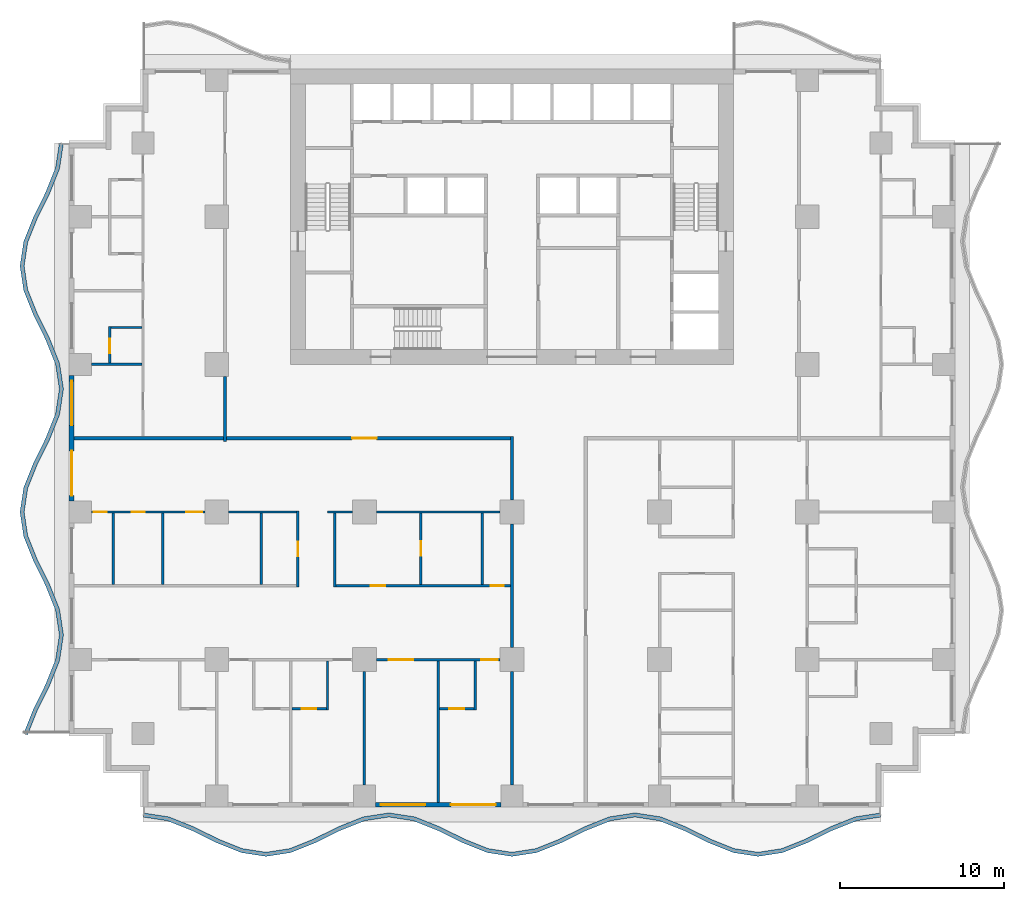
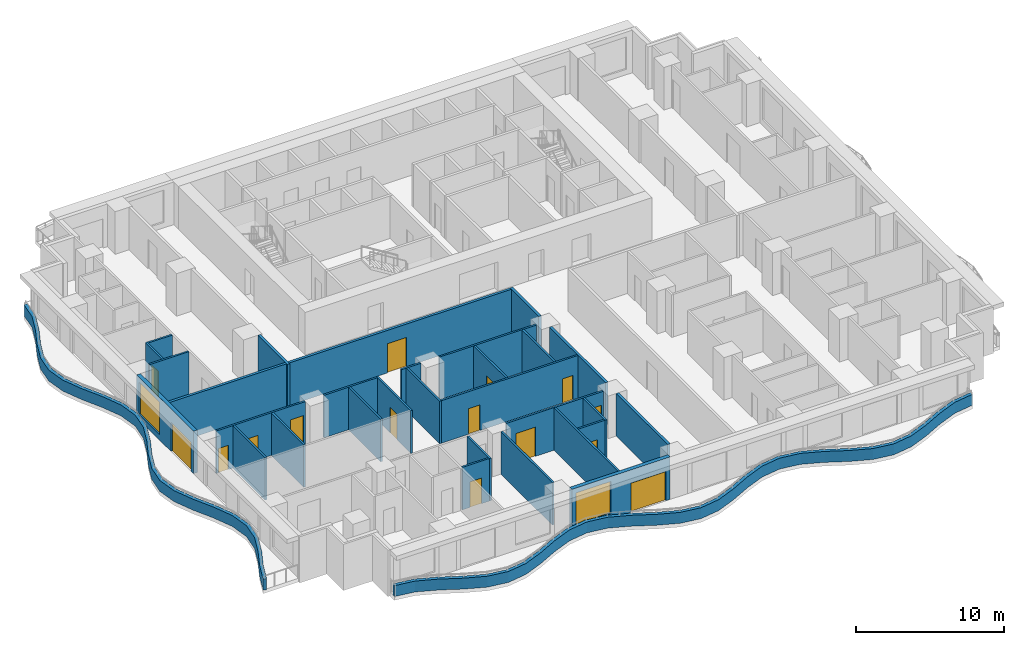
# One storey, part 2 of 13: 32 walls, 15 doors, 2 windows, 17 openings.
"""IFC4 building model written with IfcOpenShell, lengths in metres."""

from ifc_helpers import new_model, si_unit, direction, frame, frame_2d, origin, place, context, subcontext, project, spatial, polyline, rectangle, outline, extrude, material, layer, layer_set, type_object, element, fill, save


model = new_model("IFC4")

# Units and contexts
model_context = context("Model", 3, precision=1e-05, world=origin(), true_north=direction((0.0, 1.0)))
body_context = subcontext(model_context, "Body", "Model", "MODEL_VIEW")
ifc_project = project(units=[si_unit("LENGTHUNIT", "METRE"), si_unit("AREAUNIT", "SQUARE_METRE"), si_unit("VOLUMEUNIT", "CUBIC_METRE"), si_unit("PLANEANGLEUNIT", "RADIAN"), si_unit("MASSUNIT", "GRAM", prefix="KILO")], contexts=[model_context])

# Site, building, storey
site_placement = place(None, origin())
site = spatial("IfcSite", under=ifc_project, at=site_placement, CompositionType="ELEMENT")
building_placement = place(site_placement, origin())
building = spatial("IfcBuilding", under=site, at=building_placement, Name="Orbiselva Terraces", CompositionType="ELEMENT")
storey_placement = place(building_placement, frame((0.0, 0.0, 69.4)))
storey = spatial("IfcBuildingStorey", under=building, at=storey_placement, Name="L17", CompositionType="ELEMENT", Elevation=69.4)

# Walls
ifc_material_1 = material(Name="Concrete C40/50", Category="concrete")
ifc_layer_1 = layer(ifc_material_1, 0.25)
ifc_layer_set_1 = layer_set([ifc_layer_1], Name="Concrete C40/50")
wall_type_1 = type_object("IfcWallType", Name="ENV-PLANTER-250x900", PredefinedType="USERDEFINED", material=ifc_layer_set_1)
wall_1_placement = place(storey_placement, origin())
element("IfcWall", 1, at=wall_1_placement, inside=storey, type_object=wall_type_1, Name="Balcony planter L17 S", ObjectType="PLANTER", PredefinedType="USERDEFINED", context=body_context, shape_type="SweptSolid", body=[
    extrude(outline(polyline([(-22.5, -23.1), (-21.0, -23.32918), (-19.5, -23.92918), (-18.0, -24.67082), (-16.5, -25.27082), (-15.0, -25.5), (-13.5, -25.27082), (-12.0, -24.67082), (-10.5, -23.92918), (-9.0, -23.32918), (-7.5, -23.1), (-6.0, -23.32918), (-4.5, -23.92918), (-3.0, -24.67082), (-1.5, -25.27082), (0.0, -25.5), (1.5, -25.27082), (3.0, -24.67082), (4.5, -23.92918), (6.0, -23.32918), (7.5, -23.1), (9.0, -23.32918), (10.5, -23.92918), (12.0, -24.67082), (13.5, -25.27082), (15.0, -25.5), (16.5, -25.27082), (18.0, -24.67082), (19.5, -23.92918), (21.0, -23.32918), (22.5, -23.1), (22.462242, -22.852868), (20.933834, -23.086388), (19.398017, -23.700715), (17.898017, -24.442355), (16.433834, -25.028028), (15.0, -25.247099), (13.566166, -25.028028), (12.101983, -24.442355), (10.601983, -23.700715), (9.066166, -23.086388), (7.5, -22.847099), (5.933834, -23.086388), (4.398017, -23.700715), (2.898017, -24.442355), (1.433834, -25.028028), (0.0, -25.247099), (-1.433834, -25.028028), (-2.898017, -24.442355), (-4.398017, -23.700715), (-5.933834, -23.086388), (-7.5, -22.847099), (-9.066166, -23.086388), (-10.601983, -23.700715), (-12.101983, -24.442355), (-13.566166, -25.028028), (-15.0, -25.247099), (-16.433834, -25.028028), (-17.898017, -24.442355), (-19.398017, -23.700715), (-20.933834, -23.086388), (-22.462242, -22.852868), (-22.5, -23.1)])), origin(), (0.0, 0.0, 1.0), 0.9),
])
wall_2_placement = place(storey_placement, origin())
element("IfcWall", 2, at=wall_2_placement, inside=storey, type_object=wall_type_1, Name="Balcony planter L17 W", ObjectType="PLANTER", PredefinedType="USERDEFINED", context=body_context, shape_type="SweptSolid", body=[
    extrude(outline(polyline([(-27.6, 18.0), (-27.82918, 16.5), (-28.42918, 15.0), (-29.17082, 13.5), (-29.77082, 12.0), (-30.0, 10.5), (-29.77082, 9.0), (-29.17082, 7.5), (-28.42918, 6.0), (-27.82918, 4.5), (-27.6, 3.0), (-27.82918, 1.5), (-28.42918, 0.0), (-29.17082, -1.5), (-29.77082, -3.0), (-30.0, -4.5), (-29.77082, -6.0), (-29.17082, -7.5), (-28.42918, -9.0), (-27.82918, -10.5), (-27.6, -12.0), (-27.82918, -13.5), (-28.42918, -15.0), (-29.17082, -16.5), (-29.77082, -18.0), (-29.538701, -18.092848), (-28.942355, -16.601983), (-28.200715, -15.101983), (-27.586388, -13.566166), (-27.347099, -12.0), (-27.586388, -10.433834), (-28.200715, -8.898017), (-28.942355, -7.398017), (-29.528028, -5.933834), (-29.747099, -4.5), (-29.528028, -3.066166), (-28.942355, -1.601983), (-28.200715, -0.101983), (-27.586388, 1.433834), (-27.347099, 3.0), (-27.586388, 4.566166), (-28.200715, 6.101983), (-28.942355, 7.601983), (-29.528028, 9.066166), (-29.747099, 10.5), (-29.528028, 11.933834), (-28.942355, 13.398017), (-28.200715, 14.898017), (-27.586388, 16.433834), (-27.352868, 17.962242), (-27.6, 18.0)])), origin(), (0.0, 0.0, 1.0), 0.9),
])

# Wall, openings, door, window
ifc_material_2 = material(Name="Terracotta cladding on masonry backing", Category="masonry")
ifc_layer_2 = layer(ifc_material_2, 0.3)
ifc_layer_set_2 = layer_set([ifc_layer_2], Name="Terracotta cladding on masonry backing")
wall_type_2 = type_object("IfcWallType", Name="ENV-WALL-TERRACOTTA-300", PredefinedType="SOLIDWALL", material=ifc_layer_set_2)
wall_3_placement = place(storey_placement, frame((-0.675, -22.35, 0.0), z_axis=(0.0, 0.0, 1.0), x_axis=(-1.0, 0.0, 0.0)))
wall_3 = element("IfcWall", 3, at=wall_3_placement, inside=storey, type_object=wall_type_2, Name="Facade wall L17 S", PredefinedType="SOLIDWALL", context=body_context, shape_type="SweptSolid", body=[
    extrude(rectangle(XDim=7.65, YDim=0.3, at=frame_2d((3.825, 0.0))), origin(), (0.0, 0.0, 1.0), 3.5),
])
opening_1_placement = place(wall_3_placement, frame((4.6, 0.0, 0.45)))
opening_1 = element("IfcOpeningElement", 4, at=opening_1_placement, cuts=wall_3, Name="Opening WN5", PredefinedType="OPENING", context=body_context, shape_type="SweptSolid", body=[
    extrude(rectangle(XDim=2.725, YDim=2.65, at=frame_2d((1.3625, 1.325))), frame((0.0, 0.16, 0.0), z_axis=(0.0, -1.0, 0.0), x_axis=(1.0, 0.0, 0.0)), (0.0, 0.0, 1.0), 0.32),
])
opening_2_placement = place(wall_3_placement, frame((0.325, 0.0, 0.0)))
opening_2 = element("IfcOpeningElement", 5, at=opening_2_placement, cuts=wall_3, Name="Opening Z2-A-E02", PredefinedType="OPENING", context=body_context, shape_type="SweptSolid", body=[
    extrude(rectangle(XDim=2.725, YDim=2.4, at=frame_2d((1.3625, 1.2))), frame((0.0, 0.16, 0.0), z_axis=(0.0, -1.0, 0.0), x_axis=(1.0, 0.0, 0.0)), (0.0, 0.0, 1.0), 0.32),
])
ifc_material_3 = material(Name="Clear low-e glazing in aluminium frame", Category="aluminium")
door_type_1 = type_object("IfcDoorType", Name="BALCONY DOOR 2725 X 2400", OperationType="DOUBLE_DOOR_SLIDING", PredefinedType="DOOR", material=ifc_material_3)
door_1_placement = place(opening_2_placement, origin())
door_1 = element("IfcDoor", 6, at=door_1_placement, inside=storey, type_object=door_type_1, Name="Z2-A-E02", OperationType="SINGLE_SWING_LEFT", OverallHeight=2.4, OverallWidth=2.725, PredefinedType="DOOR", context=body_context, shape_type="SweptSolid", body=[
    extrude(rectangle(XDim=2.725, YDim=2.4, at=frame_2d((1.3625, 1.2))), frame((0.0, 0.025, 0.0), z_axis=(0.0, -1.0, 0.0), x_axis=(1.0, 0.0, 0.0)), (0.0, 0.0, 1.0), 0.05),
])
fill(opening_2, door_1)
window_type = type_object("IfcWindowType", Name="WINDOW 2725 X 2650 S450", PartitioningType="TRIPLE_PANEL_VERTICAL", PredefinedType="WINDOW", material=ifc_material_3)
window_1_placement = place(opening_1_placement, origin())
window_1 = element("IfcWindow", 7, at=window_1_placement, inside=storey, type_object=window_type, Name="Window L17 S", OverallHeight=2.65, OverallWidth=2.725, PartitioningType="SINGLE_PANEL", PredefinedType="WINDOW", context=body_context, shape_type="SweptSolid", body=[
    extrude(rectangle(XDim=2.725, YDim=2.65, at=frame_2d((1.3625, 1.325))), frame((0.0, 0.03, 0.0), z_axis=(0.0, -1.0, 0.0), x_axis=(1.0, 0.0, 0.0)), (0.0, 0.0, 1.0), 0.06),
])
fill(opening_1, window_1)

wall_4_placement = place(storey_placement, frame((-26.85, -3.825, 0.0), z_axis=(0.0, 0.0, 1.0), x_axis=(0.0, 1.0, 0.0)))
wall_4 = element("IfcWall", 8, at=wall_4_placement, inside=storey, type_object=wall_type_2, Name="Facade wall L17 W", PredefinedType="SOLIDWALL", context=body_context, shape_type="SweptSolid", body=[
    extrude(rectangle(XDim=7.65, YDim=0.3, at=frame_2d((3.825, 0.0))), origin(), (0.0, 0.0, 1.0), 3.5),
])
opening_3_placement = place(wall_4_placement, frame((4.6, 0.0, 0.45)))
opening_3 = element("IfcOpeningElement", 9, at=opening_3_placement, cuts=wall_4, Name="Opening WN5", PredefinedType="OPENING", context=body_context, shape_type="SweptSolid", body=[
    extrude(rectangle(XDim=2.725, YDim=2.65, at=frame_2d((1.3625, 1.325))), frame((0.0, 0.16, 0.0), z_axis=(0.0, -1.0, 0.0), x_axis=(1.0, 0.0, 0.0)), (0.0, 0.0, 1.0), 0.32),
])
opening_4_placement = place(wall_4_placement, frame((0.325, 0.0, 0.0)))
opening_4 = element("IfcOpeningElement", 10, at=opening_4_placement, cuts=wall_4, Name="Opening Z2-A-E11", PredefinedType="OPENING", context=body_context, shape_type="SweptSolid", body=[
    extrude(rectangle(XDim=2.725, YDim=2.4, at=frame_2d((1.3625, 1.2))), frame((0.0, 0.16, 0.0), z_axis=(0.0, -1.0, 0.0), x_axis=(1.0, 0.0, 0.0)), (0.0, 0.0, 1.0), 0.32),
])
door_2_placement = place(opening_4_placement, origin())
door_2 = element("IfcDoor", 11, at=door_2_placement, inside=storey, type_object=door_type_1, Name="Z2-A-E11", OperationType="SINGLE_SWING_LEFT", OverallHeight=2.4, OverallWidth=2.725, PredefinedType="DOOR", context=body_context, shape_type="SweptSolid", body=[
    extrude(rectangle(XDim=2.725, YDim=2.4, at=frame_2d((1.3625, 1.2))), frame((0.0, 0.025, 0.0), z_axis=(0.0, -1.0, 0.0), x_axis=(1.0, 0.0, 0.0)), (0.0, 0.0, 1.0), 0.05),
])
fill(opening_4, door_2)
window_2_placement = place(opening_3_placement, origin())
window_2 = element("IfcWindow", 12, at=window_2_placement, inside=storey, type_object=window_type, Name="Window L17 W", OverallHeight=2.65, OverallWidth=2.725, PartitioningType="SINGLE_PANEL", PredefinedType="WINDOW", context=body_context, shape_type="SweptSolid", body=[
    extrude(rectangle(XDim=2.725, YDim=2.65, at=frame_2d((1.3625, 1.325))), frame((0.0, 0.03, 0.0), z_axis=(0.0, -1.0, 0.0), x_axis=(1.0, 0.0, 0.0)), (0.0, 0.0, 1.0), 0.06),
])
fill(opening_3, window_2)

# Wall, opening, door
ifc_material_4 = material(Name="Plasterboard on steel stud partition", Category="steel")
ifc_layer_3 = layer(ifc_material_4, 0.2)
ifc_layer_set_3 = layer_set([ifc_layer_3], Name="Plasterboard on steel stud partition")
wall_type_3 = type_object("IfcWallType", Name="UNIT-ENTRANCE-WALL-200", PredefinedType="PARTITIONING", material=ifc_layer_set_3)
wall_5_placement = place(storey_placement, frame((-0.1, 0.0, 0.0), z_axis=(0.0, 0.0, 1.0), x_axis=(-1.0, 0.0, 0.0)))
wall_5 = element("IfcWall", 13, at=wall_5_placement, inside=storey, type_object=wall_type_3, Name="PARTITION L17-028", PredefinedType="PARTITIONING", context=body_context, shape_type="SweptSolid", body=[
    extrude(rectangle(XDim=17.3, YDim=0.2, at=frame_2d((8.65, 0.0))), origin(), (0.0, 0.0, 1.0), 3.5),
])
opening_5_placement = place(wall_5_placement, frame((8.15, 0.0, 0.0)))
opening_5 = element("IfcOpeningElement", 14, at=opening_5_placement, cuts=wall_5, Name="Opening Z2-A-15", PredefinedType="OPENING", context=body_context, shape_type="SweptSolid", body=[
    extrude(rectangle(XDim=1.5, YDim=2.4, at=frame_2d((0.75, 1.2))), frame((0.0, 0.11, 0.0), z_axis=(0.0, -1.0, 0.0), x_axis=(1.0, 0.0, 0.0)), (0.0, 0.0, 1.0), 0.22),
])
ifc_material_5 = material(Name="Painted timber door leaf", Category="wood")
door_type_2 = type_object("IfcDoorType", Name="ENTRANCE DOUBLE DOOR 1500", OperationType="NOTDEFINED", PredefinedType="DOOR", material=ifc_material_5)
door_3_placement = place(opening_5_placement, origin())
door_3 = element("IfcDoor", 15, at=door_3_placement, inside=storey, type_object=door_type_2, Name="Z2-A-15", OperationType="DOUBLE_DOOR_SINGLE_SWING", OverallHeight=2.4, OverallWidth=1.5, PredefinedType="DOOR", context=body_context, shape_type="SweptSolid", body=[
    extrude(rectangle(XDim=1.5, YDim=2.4, at=frame_2d((0.75, 1.2))), frame((0.0, 0.025, 0.0), z_axis=(0.0, -1.0, 0.0), x_axis=(1.0, 0.0, 0.0)), (0.0, 0.0, 1.0), 0.05),
])
fill(opening_5, door_3)

# Walls
wall_6_placement = place(storey_placement, frame((-17.5, -0.2, 0.0), z_axis=(0.0, 0.0, 1.0), x_axis=(0.0, 1.0, 0.0)))
element("IfcWall", 16, at=wall_6_placement, inside=storey, type_object=wall_type_3, Name="PARTITION L17-051", PredefinedType="PARTITIONING", context=body_context, shape_type="SweptSolid", body=[
    extrude(rectangle(XDim=3.975, YDim=0.2, at=frame_2d((1.9875, 0.0))), origin(), (0.0, 0.0, 1.0), 3.5),
])
wall_7_placement = place(storey_placement, frame((0.0, -21.15, 0.0), z_axis=(0.0, 0.0, 1.0), x_axis=(0.0, 1.0, 0.0)))
element("IfcWall", 17, at=wall_7_placement, inside=storey, type_object=wall_type_3, Name="PARTITION L17-065", PredefinedType="PARTITIONING", context=body_context, shape_type="SweptSolid", body=[
    extrude(rectangle(XDim=6.925, YDim=0.2, at=frame_2d((3.4625, 0.0))), origin(), (0.0, 0.0, 1.0), 3.5),
])
wall_8_placement = place(storey_placement, frame((0.0, -12.775, 0.0), z_axis=(0.0, 0.0, 1.0), x_axis=(0.0, 1.0, 0.0)))
element("IfcWall", 18, at=wall_8_placement, inside=storey, type_object=wall_type_3, Name="PARTITION L17-066", PredefinedType="PARTITIONING", context=body_context, shape_type="SweptSolid", body=[
    extrude(rectangle(XDim=7.55, YDim=0.2, at=frame_2d((3.775, 0.0))), origin(), (0.0, 0.0, 1.0), 3.5),
])
wall_9_placement = place(storey_placement, frame((0.0, -3.775, 0.0), z_axis=(0.0, 0.0, 1.0), x_axis=(0.0, 1.0, 0.0)))
element("IfcWall", 19, at=wall_9_placement, inside=storey, type_object=wall_type_3, Name="PARTITION L17-067", PredefinedType="PARTITIONING", context=body_context, shape_type="SweptSolid", body=[
    extrude(rectangle(XDim=3.875, YDim=0.2, at=frame_2d((1.9375, 0.0))), origin(), (0.0, 0.0, 1.0), 3.5),
])

# Wall, opening, door
ifc_layer_4 = layer(ifc_material_4, 0.15)
ifc_layer_set_4 = layer_set([ifc_layer_4], Name="Plasterboard on steel stud partition")
wall_type_4 = type_object("IfcWallType", Name="UNIT-PARTITION-150", PredefinedType="PARTITIONING", material=ifc_layer_set_4)
wall_10_placement = place(storey_placement, frame((-13.425, -16.5, 0.0), z_axis=(0.0, 0.0, 1.0), x_axis=(1.0, 0.0, 0.0)))
wall_10 = element("IfcWall", 20, at=wall_10_placement, inside=storey, type_object=wall_type_4, Name="PARTITION L17-005", PredefinedType="PARTITIONING", context=body_context, shape_type="SweptSolid", body=[
    extrude(rectangle(XDim=2.1, YDim=0.15, at=frame_2d((1.05, 0.0))), origin(), (0.0, 0.0, 1.0), 3.5),
])
opening_6_placement = place(wall_10_placement, frame((0.6, 0.0, 0.0)))
opening_6 = element("IfcOpeningElement", 21, at=opening_6_placement, cuts=wall_10, Name="Opening Z2-A-28", PredefinedType="OPENING", context=body_context, shape_type="SweptSolid", body=[
    extrude(rectangle(XDim=0.9, YDim=2.1, at=frame_2d((0.45, 1.05))), frame((0.0, 0.085, 0.0), z_axis=(0.0, -1.0, 0.0), x_axis=(1.0, 0.0, 0.0)), (0.0, 0.0, 1.0), 0.17),
])
door_type_3 = type_object("IfcDoorType", Name="BATH DOOR 900", OperationType="NOTDEFINED", PredefinedType="DOOR", material=ifc_material_5)
door_4_placement = place(opening_6_placement, origin())
door_4 = element("IfcDoor", 22, at=door_4_placement, inside=storey, type_object=door_type_3, Name="Z2-A-28", OperationType="SINGLE_SWING_LEFT", OverallHeight=2.1, OverallWidth=0.9, PredefinedType="DOOR", context=body_context, shape_type="SweptSolid", body=[
    extrude(rectangle(XDim=0.9, YDim=2.1, at=frame_2d((0.45, 1.05))), frame((0.0, 0.025, 0.0), z_axis=(0.0, -1.0, 0.0), x_axis=(1.0, 0.0, 0.0)), (0.0, 0.0, 1.0), 0.05),
])
fill(opening_6, door_4)

wall_11_placement = place(storey_placement, frame((-4.425, -16.5, 0.0), z_axis=(0.0, 0.0, 1.0), x_axis=(1.0, 0.0, 0.0)))
wall_11 = element("IfcWall", 23, at=wall_11_placement, inside=storey, type_object=wall_type_4, Name="PARTITION L17-006", PredefinedType="PARTITIONING", context=body_context, shape_type="SweptSolid", body=[
    extrude(rectangle(XDim=2.1, YDim=0.15, at=frame_2d((1.05, 0.0))), origin(), (0.0, 0.0, 1.0), 3.5),
])
opening_7_placement = place(wall_11_placement, frame((0.6, 0.0, 0.0)))
opening_7 = element("IfcOpeningElement", 24, at=opening_7_placement, cuts=wall_11, Name="Opening Z2-A-31", PredefinedType="OPENING", context=body_context, shape_type="SweptSolid", body=[
    extrude(rectangle(XDim=0.9, YDim=2.1, at=frame_2d((0.45, 1.05))), frame((0.0, 0.085, 0.0), z_axis=(0.0, -1.0, 0.0), x_axis=(1.0, 0.0, 0.0)), (0.0, 0.0, 1.0), 0.17),
])
door_5_placement = place(opening_7_placement, origin())
door_5 = element("IfcDoor", 25, at=door_5_placement, inside=storey, type_object=door_type_3, Name="Z2-A-31", OperationType="SINGLE_SWING_RIGHT", OverallHeight=2.1, OverallWidth=0.9, PredefinedType="DOOR", context=body_context, shape_type="SweptSolid", body=[
    extrude(rectangle(XDim=0.9, YDim=2.1, at=frame_2d((0.45, 1.05))), frame((0.0, 0.025, 0.0), z_axis=(0.0, -1.0, 0.0), x_axis=(1.0, 0.0, 0.0)), (0.0, 0.0, 1.0), 0.05),
])
fill(opening_7, door_5)

# Wall, openings, doors
wall_12_placement = place(storey_placement, frame((-0.725, -13.5, 0.0), z_axis=(0.0, 0.0, 1.0), x_axis=(-1.0, 0.0, 0.0)))
wall_12 = element("IfcWall", 26, at=wall_12_placement, inside=storey, type_object=wall_type_4, Name="PARTITION L17-011", PredefinedType="PARTITIONING", context=body_context, shape_type="SweptSolid", body=[
    extrude(rectangle(XDim=7.55, YDim=0.15, at=frame_2d((3.775, 0.0))), origin(), (0.0, 0.0, 1.0), 3.5),
])
opening_8_placement = place(wall_12_placement, frame((5.3, 0.0, 0.0)))
opening_8 = element("IfcOpeningElement", 27, at=opening_8_placement, cuts=wall_12, Name="Opening Z2-A-29", PredefinedType="OPENING", context=body_context, shape_type="SweptSolid", body=[
    extrude(rectangle(XDim=1.5, YDim=2.4, at=frame_2d((0.75, 1.2))), frame((0.0, 0.085, 0.0), z_axis=(0.0, -1.0, 0.0), x_axis=(1.0, 0.0, 0.0)), (0.0, 0.0, 1.0), 0.17),
])
opening_9_placement = place(wall_12_placement, frame((0.15, 0.0, 0.0)))
opening_9 = element("IfcOpeningElement", 28, at=opening_9_placement, cuts=wall_12, Name="Opening Z2-A-30", PredefinedType="OPENING", context=body_context, shape_type="SweptSolid", body=[
    extrude(rectangle(XDim=1.0, YDim=2.4, at=frame_2d((0.5, 1.2))), frame((0.0, 0.085, 0.0), z_axis=(0.0, -1.0, 0.0), x_axis=(1.0, 0.0, 0.0)), (0.0, 0.0, 1.0), 0.17),
])
door_type_4 = type_object("IfcDoorType", Name="DOUBLE DOOR 1500", OperationType="NOTDEFINED", PredefinedType="DOOR", material=ifc_material_5)
door_6_placement = place(opening_8_placement, origin())
door_6 = element("IfcDoor", 29, at=door_6_placement, inside=storey, type_object=door_type_4, Name="Z2-A-29", OperationType="DOUBLE_DOOR_SINGLE_SWING", OverallHeight=2.4, OverallWidth=1.5, PredefinedType="DOOR", context=body_context, shape_type="SweptSolid", body=[
    extrude(rectangle(XDim=1.5, YDim=2.4, at=frame_2d((0.75, 1.2))), frame((0.0, 0.025, 0.0), z_axis=(0.0, -1.0, 0.0), x_axis=(1.0, 0.0, 0.0)), (0.0, 0.0, 1.0), 0.05),
])
fill(opening_8, door_6)
door_type_5 = type_object("IfcDoorType", Name="ROOM DOOR 1000", OperationType="NOTDEFINED", PredefinedType="DOOR", material=ifc_material_5)
door_7_placement = place(opening_9_placement, origin())
door_7 = element("IfcDoor", 30, at=door_7_placement, inside=storey, type_object=door_type_5, Name="Z2-A-30", OperationType="SINGLE_SWING_LEFT", OverallHeight=2.4, OverallWidth=1.0, PredefinedType="DOOR", context=body_context, shape_type="SweptSolid", body=[
    extrude(rectangle(XDim=1.0, YDim=2.4, at=frame_2d((0.5, 1.2))), frame((0.0, 0.025, 0.0), z_axis=(0.0, -1.0, 0.0), x_axis=(1.0, 0.0, 0.0)), (0.0, 0.0, 1.0), 0.05),
])
fill(opening_9, door_7)

wall_13_placement = place(storey_placement, frame((-10.725, -9.0, 0.0), z_axis=(0.0, 0.0, 1.0), x_axis=(1.0, 0.0, 0.0)))
wall_13 = element("IfcWall", 31, at=wall_13_placement, inside=storey, type_object=wall_type_4, Name="PARTITION L17-016", PredefinedType="PARTITIONING", context=body_context, shape_type="SweptSolid", body=[
    extrude(rectangle(XDim=10.625, YDim=0.15, at=frame_2d((5.3125, 0.0))), origin(), (0.0, 0.0, 1.0), 3.5),
])
opening_10_placement = place(wall_13_placement, frame((2.1, 0.0, 0.0)))
opening_10 = element("IfcOpeningElement", 32, at=opening_10_placement, cuts=wall_13, Name="Opening Z2-A-20", PredefinedType="OPENING", context=body_context, shape_type="SweptSolid", body=[
    extrude(rectangle(XDim=0.9, YDim=2.1, at=frame_2d((0.45, 1.05))), frame((0.0, 0.085, 0.0), z_axis=(0.0, -1.0, 0.0), x_axis=(1.0, 0.0, 0.0)), (0.0, 0.0, 1.0), 0.17),
])
opening_11_placement = place(wall_13_placement, frame((9.425, 0.0, 0.0)))
opening_11 = element("IfcOpeningElement", 33, at=opening_11_placement, cuts=wall_13, Name="Opening Z2-A-22", PredefinedType="OPENING", context=body_context, shape_type="SweptSolid", body=[
    extrude(rectangle(XDim=0.8, YDim=2.0, at=frame_2d((0.4, 1.0))), frame((0.0, 0.085, 0.0), z_axis=(0.0, -1.0, 0.0), x_axis=(1.0, 0.0, 0.0)), (0.0, 0.0, 1.0), 0.17),
])
door_type_6 = type_object("IfcDoorType", Name="SERVICE DOOR 900", OperationType="NOTDEFINED", PredefinedType="DOOR", material=ifc_material_5)
door_8_placement = place(opening_10_placement, origin())
door_8 = element("IfcDoor", 34, at=door_8_placement, inside=storey, type_object=door_type_6, Name="Z2-A-20", OperationType="SINGLE_SWING_LEFT", OverallHeight=2.1, OverallWidth=0.9, PredefinedType="DOOR", context=body_context, shape_type="SweptSolid", body=[
    extrude(rectangle(XDim=0.9, YDim=2.1, at=frame_2d((0.45, 1.05))), frame((0.0, 0.025, 0.0), z_axis=(0.0, -1.0, 0.0), x_axis=(1.0, 0.0, 0.0)), (0.0, 0.0, 1.0), 0.05),
])
fill(opening_10, door_8)
door_type_7 = type_object("IfcDoorType", Name="STORE DOOR 800", OperationType="NOTDEFINED", PredefinedType="DOOR", material=ifc_material_5)
door_9_placement = place(opening_11_placement, origin())
door_9 = element("IfcDoor", 35, at=door_9_placement, inside=storey, type_object=door_type_7, Name="Z2-A-22", OperationType="SINGLE_SWING_RIGHT", OverallHeight=2.0, OverallWidth=0.8, PredefinedType="DOOR", context=body_context, shape_type="SweptSolid", body=[
    extrude(rectangle(XDim=0.8, YDim=2.0, at=frame_2d((0.4, 1.0))), frame((0.0, 0.025, 0.0), z_axis=(0.0, -1.0, 0.0), x_axis=(1.0, 0.0, 0.0)), (0.0, 0.0, 1.0), 0.05),
])
fill(opening_11, door_9)

wall_14_placement = place(storey_placement, frame((-18.725, -4.5, 0.0), z_axis=(0.0, 0.0, 1.0), x_axis=(-1.0, 0.0, 0.0)))
wall_14 = element("IfcWall", 36, at=wall_14_placement, inside=storey, type_object=wall_type_4, Name="PARTITION L17-022", PredefinedType="PARTITIONING", context=body_context, shape_type="SweptSolid", body=[
    extrude(rectangle(XDim=6.925, YDim=0.15, at=frame_2d((3.4625, 0.0))), origin(), (0.0, 0.0, 1.0), 3.5),
])
opening_12_placement = place(wall_14_placement, frame((5.975, 0.0, 0.0)))
opening_12 = element("IfcOpeningElement", 37, at=opening_12_placement, cuts=wall_14, Name="Opening Z2-A-16", PredefinedType="OPENING", context=body_context, shape_type="SweptSolid", body=[
    extrude(rectangle(XDim=0.8, YDim=2.0, at=frame_2d((0.4, 1.0))), frame((0.0, 0.085, 0.0), z_axis=(0.0, -1.0, 0.0), x_axis=(1.0, 0.0, 0.0)), (0.0, 0.0, 1.0), 0.17),
])
opening_13_placement = place(wall_14_placement, frame((3.675, 0.0, 0.0)))
opening_13 = element("IfcOpeningElement", 38, at=opening_13_placement, cuts=wall_14, Name="Opening Z2-A-17", PredefinedType="OPENING", context=body_context, shape_type="SweptSolid", body=[
    extrude(rectangle(XDim=0.8, YDim=2.0, at=frame_2d((0.4, 1.0))), frame((0.0, 0.085, 0.0), z_axis=(0.0, -1.0, 0.0), x_axis=(1.0, 0.0, 0.0)), (0.0, 0.0, 1.0), 0.17),
])
opening_14_placement = place(wall_14_placement, frame((0.15, 0.0, 0.0)))
opening_14 = element("IfcOpeningElement", 39, at=opening_14_placement, cuts=wall_14, Name="Opening Z2-A-18", PredefinedType="OPENING", context=body_context, shape_type="SweptSolid", body=[
    extrude(rectangle(XDim=1.0, YDim=2.4, at=frame_2d((0.5, 1.2))), frame((0.0, 0.085, 0.0), z_axis=(0.0, -1.0, 0.0), x_axis=(1.0, 0.0, 0.0)), (0.0, 0.0, 1.0), 0.17),
])
door_10_placement = place(opening_14_placement, origin())
door_10 = element("IfcDoor", 40, at=door_10_placement, inside=storey, type_object=door_type_5, Name="Z2-A-18", OperationType="SINGLE_SWING_LEFT", OverallHeight=2.4, OverallWidth=1.0, PredefinedType="DOOR", context=body_context, shape_type="SweptSolid", body=[
    extrude(rectangle(XDim=1.0, YDim=2.4, at=frame_2d((0.5, 1.2))), frame((0.0, 0.025, 0.0), z_axis=(0.0, -1.0, 0.0), x_axis=(1.0, 0.0, 0.0)), (0.0, 0.0, 1.0), 0.05),
])
fill(opening_14, door_10)
door_11_placement = place(opening_12_placement, origin())
door_11 = element("IfcDoor", 41, at=door_11_placement, inside=storey, type_object=door_type_7, Name="Z2-A-16", OperationType="SINGLE_SWING_RIGHT", OverallHeight=2.0, OverallWidth=0.8, PredefinedType="DOOR", context=body_context, shape_type="SweptSolid", body=[
    extrude(rectangle(XDim=0.8, YDim=2.0, at=frame_2d((0.4, 1.0))), frame((0.0, 0.025, 0.0), z_axis=(0.0, -1.0, 0.0), x_axis=(1.0, 0.0, 0.0)), (0.0, 0.0, 1.0), 0.05),
])
fill(opening_12, door_11)
door_12_placement = place(opening_13_placement, origin())
door_12 = element("IfcDoor", 42, at=door_12_placement, inside=storey, type_object=door_type_7, Name="Z2-A-17", OperationType="SINGLE_SWING_RIGHT", OverallHeight=2.0, OverallWidth=0.8, PredefinedType="DOOR", context=body_context, shape_type="SweptSolid", body=[
    extrude(rectangle(XDim=0.8, YDim=2.0, at=frame_2d((0.4, 1.0))), frame((0.0, 0.025, 0.0), z_axis=(0.0, -1.0, 0.0), x_axis=(1.0, 0.0, 0.0)), (0.0, 0.0, 1.0), 0.05),
])
fill(opening_13, door_12)

# Walls
wall_15_placement = place(storey_placement, frame((-17.275, -4.5, 0.0), z_axis=(0.0, 0.0, 1.0), x_axis=(1.0, 0.0, 0.0)))
element("IfcWall", 43, at=wall_15_placement, inside=storey, type_object=wall_type_4, Name="PARTITION L17-023", PredefinedType="PARTITIONING", context=body_context, shape_type="SweptSolid", body=[
    extrude(rectangle(XDim=4.15, YDim=0.15, at=frame_2d((2.075, 0.0))), origin(), (0.0, 0.0, 1.0), 3.5),
])
wall_16_placement = place(storey_placement, frame((-11.25, -4.5, 0.0), z_axis=(0.0, 0.0, 1.0), x_axis=(1.0, 0.0, 0.0)))
element("IfcWall", 44, at=wall_16_placement, inside=storey, type_object=wall_type_4, Name="PARTITION L17-024", PredefinedType="PARTITIONING", context=body_context, shape_type="SweptSolid", body=[
    extrude(rectangle(XDim=1.525, YDim=0.15, at=frame_2d((0.7625, 0.0))), origin(), (0.0, 0.0, 1.0), 3.5),
])
wall_17_placement = place(storey_placement, frame((-8.275, -4.5, 0.0), z_axis=(0.0, 0.0, 1.0), x_axis=(1.0, 0.0, 0.0)))
element("IfcWall", 45, at=wall_17_placement, inside=storey, type_object=wall_type_4, Name="PARTITION L17-025", PredefinedType="PARTITIONING", context=body_context, shape_type="SweptSolid", body=[
    extrude(rectangle(XDim=7.55, YDim=0.15, at=frame_2d((3.775, 0.0))), origin(), (0.0, 0.0, 1.0), 3.5),
])
wall_18_placement = place(storey_placement, frame((-25.65, 4.5, 0.0), z_axis=(0.0, 0.0, 1.0), x_axis=(1.0, 0.0, 0.0)))
element("IfcWall", 46, at=wall_18_placement, inside=storey, type_object=wall_type_4, Name="PARTITION L17-032", PredefinedType="PARTITIONING", context=body_context, shape_type="SweptSolid", body=[
    extrude(rectangle(XDim=3.075, YDim=0.15, at=frame_2d((1.5375, 0.0))), origin(), (0.0, 0.0, 1.0), 3.5),
])
wall_19_placement = place(storey_placement, frame((-24.45, 6.75, 0.0), z_axis=(0.0, 0.0, 1.0), x_axis=(1.0, 0.0, 0.0)))
element("IfcWall", 47, at=wall_19_placement, inside=storey, type_object=wall_type_4, Name="PARTITION L17-034", PredefinedType="PARTITIONING", context=body_context, shape_type="SweptSolid", body=[
    extrude(rectangle(XDim=1.875, YDim=0.15, at=frame_2d((0.9375, 0.0))), origin(), (0.0, 0.0, 1.0), 3.5),
])

# Wall, opening, door
wall_20_placement = place(storey_placement, frame((-24.525, 6.825, 0.0), z_axis=(0.0, 0.0, 1.0), x_axis=(0.0, -1.0, 0.0)))
wall_20 = element("IfcWall", 48, at=wall_20_placement, inside=storey, type_object=wall_type_4, Name="PARTITION L17-043", PredefinedType="PARTITIONING", context=body_context, shape_type="SweptSolid", body=[
    extrude(rectangle(XDim=2.25, YDim=0.15, at=frame_2d((1.125, 0.0))), origin(), (0.0, 0.0, 1.0), 3.5),
])
opening_15_placement = place(wall_20_placement, frame((0.75, 0.0, 0.0)))
opening_15 = element("IfcOpeningElement", 49, at=opening_15_placement, cuts=wall_20, Name="Opening Z2-A-04", PredefinedType="OPENING", context=body_context, shape_type="SweptSolid", body=[
    extrude(rectangle(XDim=0.9, YDim=2.1, at=frame_2d((0.45, 1.05))), frame((0.0, 0.085, 0.0), z_axis=(0.0, -1.0, 0.0), x_axis=(1.0, 0.0, 0.0)), (0.0, 0.0, 1.0), 0.17),
])
door_13_placement = place(opening_15_placement, origin())
door_13 = element("IfcDoor", 50, at=door_13_placement, inside=storey, type_object=door_type_3, Name="Z2-A-04", OperationType="SINGLE_SWING_RIGHT", OverallHeight=2.1, OverallWidth=0.9, PredefinedType="DOOR", context=body_context, shape_type="SweptSolid", body=[
    extrude(rectangle(XDim=0.9, YDim=2.1, at=frame_2d((0.45, 1.05))), frame((0.0, 0.025, 0.0), z_axis=(0.0, -1.0, 0.0), x_axis=(1.0, 0.0, 0.0)), (0.0, 0.0, 1.0), 0.05),
])
fill(opening_15, door_13)

# Walls
for number, where, z_axis, x_axis, name in (
    (51, (-24.3, -8.925, 0.0), (0.0, 0.0, 1.0), (0.0, 1.0, 0.0), "PARTITION L17-045"),
    (52, (-21.3, -8.925, 0.0), (0.0, 0.0, 1.0), (0.0, 1.0, 0.0), "PARTITION L17-048"),
    (53, (-15.3, -8.925, 0.0), (0.0, 0.0, 1.0), (0.0, 1.0, 0.0), "PARTITION L17-055"),
):
    element("IfcWall", number, at=place(storey_placement, frame(where, z_axis=z_axis, x_axis=x_axis)), inside=storey, type_object=wall_type_4, Name=name, PredefinedType="PARTITIONING", context=body_context, shape_type="SweptSolid", body=[
        extrude(rectangle(XDim=4.35, YDim=0.15, at=frame_2d((2.175, 0.0))), origin(), (0.0, 0.0, 1.0), 3.5),
    ])

# Wall, opening, door
wall_21_placement = place(storey_placement, frame((-13.05, -9.075, 0.0), z_axis=(0.0, 0.0, 1.0), x_axis=(0.0, 1.0, 0.0)))
wall_21 = element("IfcWall", 54, at=wall_21_placement, inside=storey, type_object=wall_type_4, Name="PARTITION L17-057", PredefinedType="PARTITIONING", context=body_context, shape_type="SweptSolid", body=[
    extrude(rectangle(XDim=4.65, YDim=0.15, at=frame_2d((2.325, 0.0))), origin(), (0.0, 0.0, 1.0), 3.5),
])
opening_16_placement = place(wall_21_placement, frame((1.875, 0.0, 0.0)))
opening_16 = element("IfcOpeningElement", 55, at=opening_16_placement, cuts=wall_21, Name="Opening Z2-A-19", PredefinedType="OPENING", context=body_context, shape_type="SweptSolid", body=[
    extrude(rectangle(XDim=0.9, YDim=2.1, at=frame_2d((0.45, 1.05))), frame((0.0, 0.085, 0.0), z_axis=(0.0, -1.0, 0.0), x_axis=(1.0, 0.0, 0.0)), (0.0, 0.0, 1.0), 0.17),
])
door_14_placement = place(opening_16_placement, origin())
door_14 = element("IfcDoor", 56, at=door_14_placement, inside=storey, type_object=door_type_3, Name="Z2-A-19", OperationType="SINGLE_SWING_LEFT", OverallHeight=2.1, OverallWidth=0.9, PredefinedType="DOOR", context=body_context, shape_type="SweptSolid", body=[
    extrude(rectangle(XDim=0.9, YDim=2.1, at=frame_2d((0.45, 1.05))), frame((0.0, 0.025, 0.0), z_axis=(0.0, -1.0, 0.0), x_axis=(1.0, 0.0, 0.0)), (0.0, 0.0, 1.0), 0.05),
])
fill(opening_16, door_14)

# Walls
wall_22_placement = place(storey_placement, frame((-11.25, -16.575, 0.0), z_axis=(0.0, 0.0, 1.0), x_axis=(0.0, 1.0, 0.0)))
element("IfcWall", 57, at=wall_22_placement, inside=storey, type_object=wall_type_4, Name="PARTITION L17-058", PredefinedType="PARTITIONING", context=body_context, shape_type="SweptSolid", body=[
    extrude(rectangle(XDim=3.0, YDim=0.15, at=frame_2d((1.5, 0.0))), origin(), (0.0, 0.0, 1.0), 3.5),
])
wall_23_placement = place(storey_placement, frame((-10.8, -9.075, 0.0), z_axis=(0.0, 0.0, 1.0), x_axis=(0.0, 1.0, 0.0)))
element("IfcWall", 58, at=wall_23_placement, inside=storey, type_object=wall_type_4, Name="PARTITION L17-059", PredefinedType="PARTITIONING", context=body_context, shape_type="SweptSolid", body=[
    extrude(rectangle(XDim=4.5, YDim=0.15, at=frame_2d((2.25, 0.0))), origin(), (0.0, 0.0, 1.0), 3.5),
])
wall_24_placement = place(storey_placement, frame((-9.0, -21.15, 0.0), z_axis=(0.0, 0.0, 1.0), x_axis=(0.0, 1.0, 0.0)))
element("IfcWall", 59, at=wall_24_placement, inside=storey, type_object=wall_type_4, Name="PARTITION L17-060", PredefinedType="PARTITIONING", context=body_context, shape_type="SweptSolid", body=[
    extrude(rectangle(XDim=6.925, YDim=0.15, at=frame_2d((3.4625, 0.0))), origin(), (0.0, 0.0, 1.0), 3.5),
])

# Wall, opening, door
wall_25_placement = place(storey_placement, frame((-5.55, -4.575, 0.0), z_axis=(0.0, 0.0, 1.0), x_axis=(0.0, -1.0, 0.0)))
wall_25 = element("IfcWall", 60, at=wall_25_placement, inside=storey, type_object=wall_type_4, Name="PARTITION L17-061", PredefinedType="PARTITIONING", context=body_context, shape_type="SweptSolid", body=[
    extrude(rectangle(XDim=4.35, YDim=0.15, at=frame_2d((2.175, 0.0))), origin(), (0.0, 0.0, 1.0), 3.5),
])
opening_17_placement = place(wall_25_placement, frame((1.7, 0.0, 0.0)))
opening_17 = element("IfcOpeningElement", 61, at=opening_17_placement, cuts=wall_25, Name="Opening Z2-A-21", PredefinedType="OPENING", context=body_context, shape_type="SweptSolid", body=[
    extrude(rectangle(XDim=0.9, YDim=2.1, at=frame_2d((0.45, 1.05))), frame((0.0, 0.085, 0.0), z_axis=(0.0, -1.0, 0.0), x_axis=(1.0, 0.0, 0.0)), (0.0, 0.0, 1.0), 0.17),
])
door_15_placement = place(opening_17_placement, origin())
door_15 = element("IfcDoor", 62, at=door_15_placement, inside=storey, type_object=door_type_3, Name="Z2-A-21", OperationType="SINGLE_SWING_LEFT", OverallHeight=2.1, OverallWidth=0.9, PredefinedType="DOOR", context=body_context, shape_type="SweptSolid", body=[
    extrude(rectangle(XDim=0.9, YDim=2.1, at=frame_2d((0.45, 1.05))), frame((0.0, 0.025, 0.0), z_axis=(0.0, -1.0, 0.0), x_axis=(1.0, 0.0, 0.0)), (0.0, 0.0, 1.0), 0.05),
])
fill(opening_17, door_15)

# Walls
wall_26_placement = place(storey_placement, frame((-4.5, -22.2, 0.0), z_axis=(0.0, 0.0, 1.0), x_axis=(0.0, 1.0, 0.0)))
element("IfcWall", 63, at=wall_26_placement, inside=storey, type_object=wall_type_4, Name="PARTITION L17-062", PredefinedType="PARTITIONING", context=body_context, shape_type="SweptSolid", body=[
    extrude(rectangle(XDim=8.625, YDim=0.15, at=frame_2d((4.3125, 0.0))), origin(), (0.0, 0.0, 1.0), 3.5),
])
wall_27_placement = place(storey_placement, frame((-2.25, -16.575, 0.0), z_axis=(0.0, 0.0, 1.0), x_axis=(0.0, 1.0, 0.0)))
element("IfcWall", 64, at=wall_27_placement, inside=storey, type_object=wall_type_4, Name="PARTITION L17-063", PredefinedType="PARTITIONING", context=body_context, shape_type="SweptSolid", body=[
    extrude(rectangle(XDim=3.0, YDim=0.15, at=frame_2d((1.5, 0.0))), origin(), (0.0, 0.0, 1.0), 3.5),
])
wall_28_placement = place(storey_placement, frame((-1.8, -8.925, 0.0), z_axis=(0.0, 0.0, 1.0), x_axis=(0.0, 1.0, 0.0)))
element("IfcWall", 65, at=wall_28_placement, inside=storey, type_object=wall_type_4, Name="PARTITION L17-064", PredefinedType="PARTITIONING", context=body_context, shape_type="SweptSolid", body=[
    extrude(rectangle(XDim=4.35, YDim=0.15, at=frame_2d((2.175, 0.0))), origin(), (0.0, 0.0, 1.0), 3.5),
])
ifc_layer_5 = layer(ifc_material_4, 0.2)
ifc_layer_set_5 = layer_set([ifc_layer_5], Name="Plasterboard on steel stud partition")
wall_type_5 = type_object("IfcWallType", Name="UNIT-PARTY-WALL-200", PredefinedType="PARTITIONING", material=ifc_layer_set_5)
wall_29_placement = place(storey_placement, frame((-26.7, 0.0, 0.0), z_axis=(0.0, 0.0, 1.0), x_axis=(1.0, 0.0, 0.0)))
element("IfcWall", 66, at=wall_29_placement, inside=storey, type_object=wall_type_5, Name="PARTITION L17-030", PredefinedType="PARTITIONING", context=body_context, shape_type="SweptSolid", body=[
    extrude(rectangle(XDim=9.1, YDim=0.2, at=frame_2d((4.55, 0.0))), origin(), (0.0, 0.0, 1.0), 3.5),
])

save(model, "model.ifc")
